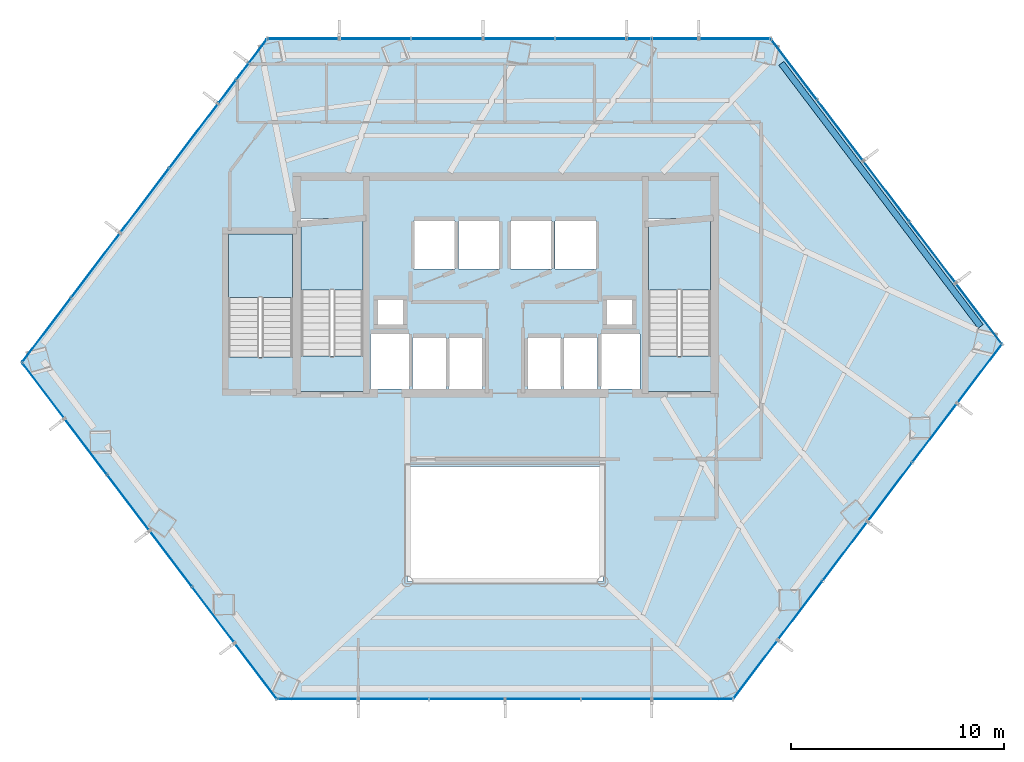
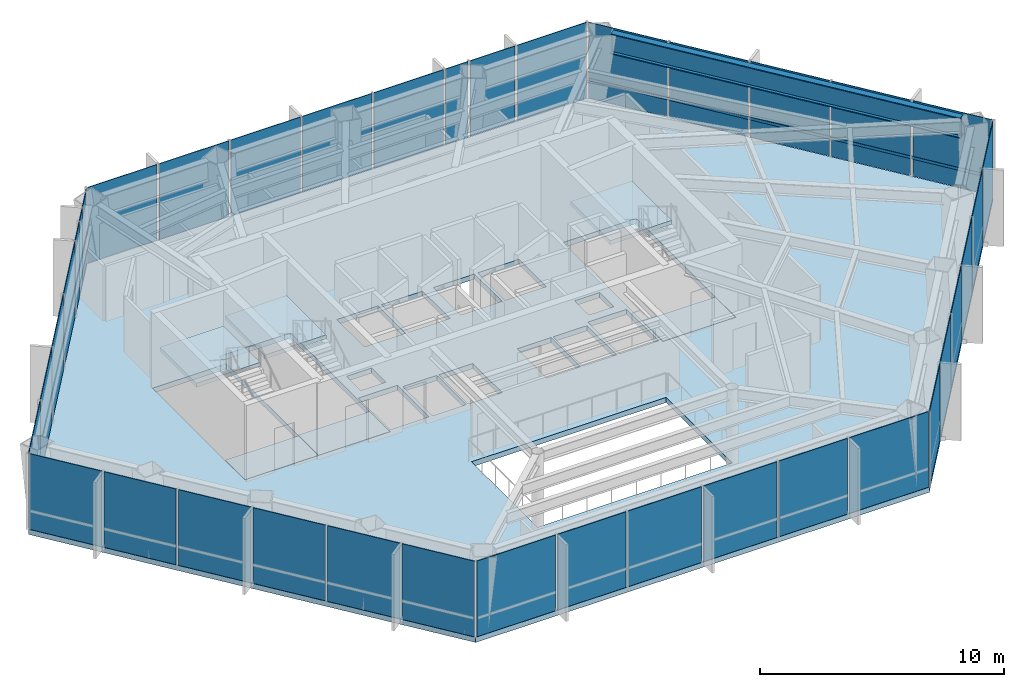
# One storey, part 22 of 26: 38 plates, 7 slabs, 1 beam, 1 member, 9 elements without a shape of their own.
"""IFC4 building model written with IfcOpenShell, lengths in metres."""

from ifc_helpers import new_model, si_unit, direction, frame, origin, origin_2d, place, context, subcontext, project, spatial, polyline, rectangle, hollow_rectangle, i_section, outline, extrude, material, layer, layer_set, material_profile, profile_set, type_object, element, aggregate, save


model = new_model("IFC4")

# Units and contexts
model_context = context("Model", 3, precision=1e-05, world=origin(), true_north=direction((0.0, 1.0)))
body_context = subcontext(model_context, "Body", "Model", "MODEL_VIEW")
ifc_project = project(units=[si_unit("LENGTHUNIT", "METRE"), si_unit("AREAUNIT", "SQUARE_METRE"), si_unit("VOLUMEUNIT", "CUBIC_METRE"), si_unit("PLANEANGLEUNIT", "RADIAN"), si_unit("MASSUNIT", "GRAM", prefix="KILO")], contexts=[model_context])

# Site, building, storey
site_placement = place(None, origin())
site = spatial("IfcSite", under=ifc_project, at=site_placement, CompositionType="ELEMENT")
building_placement = place(site_placement, origin())
building = spatial("IfcBuilding", under=site, at=building_placement, Name="Zarrinselat Tower", CompositionType="ELEMENT")
storey_placement = place(building_placement, frame((0.0, 0.0, 60.179931640625)))
storey = spatial("IfcBuildingStorey", under=building, at=storey_placement, Name="L14", CompositionType="ELEMENT", Elevation=60.179931640625)

# Beam
ifc_material_1 = material(Name="Steel S460M", Category="steel")
ifc_material_profile_1 = material_profile(ifc_material_1, i_section(OverallWidth=0.302001953125, OverallDepth=1.008056640625, WebThickness=0.02099609375, FlangeThickness=0.0400390625, at=origin_2d()), Name="HEM 1000")
ifc_profile_set_1 = profile_set([ifc_material_profile_1], Name="Steel S460M")
beam_type = type_object("IfcBeamType", Name="BM-HEM1000", PredefinedType="BEAM", material=ifc_profile_set_1)
beam_placement = place(storey_placement, frame((51.397705078125, 48.772216796875, 3.316162109375), z_axis=(0.603847696589, -0.797099717303, 0.0), x_axis=(0.797099717303, 0.603847696589, 0.0)))
element("IfcBeam", 1, at=beam_placement, inside=storey, type_object=beam_type, Name="L14 Perimeter Spandrel Girder SP15", PredefinedType="BEAM", context=body_context, shape_type="SweptSolid", body=[
    extrude(i_section(OverallWidth=0.302001953125, OverallDepth=1.008056640625, WebThickness=0.02099609375, FlangeThickness=0.0400390625, at=origin_2d()), origin(), (0.0, 0.0, 1.0), 15.525146484375),
])

# Curtain wall, member
ifc_material_2 = material(Name="Extruded Aluminium Alloy EN AW-6063 T6", Category="aluminium")
ifc_layer_1 = layer(ifc_material_2, 0.18505859375)
ifc_layer_set_1 = layer_set([ifc_layer_1], Name="Extruded Aluminium Alloy EN AW-6063 T6")
curtain_wall_type = type_object("IfcCurtainWallType", Name="CWS-OFF", PredefinedType="NOTDEFINED", material=ifc_layer_set_1)
curtain_wall_1_placement = place(storey_placement, origin())
curtain_wall_1 = element("IfcCurtainWall", 2, at=curtain_wall_1_placement, inside=storey, type_object=curtain_wall_type, Name="L14 Unitised Curtain Wall CW-L14-E06", PredefinedType="NOTDEFINED")
ifc_material_3 = material(Name="Extruded Aluminium Alloy EN AW-6063 T6", Category="aluminium")
ifc_material_profile_2 = material_profile(ifc_material_3, hollow_rectangle(XDim=0.06005859375, YDim=0.139892578125, WallThickness=0.00390625, at=origin_2d()), Name="RHS 140x60x4")
ifc_profile_set_2 = profile_set([ifc_material_profile_2], Name="Extruded Aluminium Alloy EN AW-6063 T6")
member_type = type_object("IfcMemberType", Name="MEM-CW-TRN", PredefinedType="USERDEFINED", material=ifc_profile_set_2)
member_placement = place(storey_placement, frame((61.72314453125, 35.6376953125, 0.949951171875), z_axis=(-0.60386243115, 0.797088554833, 0.0), x_axis=(-0.797088554833, -0.60386243115, 0.0)))
member = element("IfcMember", 3, at=member_placement, type_object=member_type, Name="CW-L14-E06 Transom 1", ObjectType="TRANSOM", PredefinedType="USERDEFINED", context=body_context, shape_type="SweptSolid", body=[
    extrude(hollow_rectangle(XDim=0.06005859375, YDim=0.139892578125, WallThickness=0.00390625, at=origin_2d()), origin(), (0.0, 0.0, 1.0), 17.838134765625),
])

# Curtain wall, plates
curtain_wall_2_placement = place(storey_placement, origin())
curtain_wall_2 = element("IfcCurtainWall", 4, at=curtain_wall_2_placement, inside=storey, type_object=curtain_wall_type, Name="L14 Unitised Curtain Wall CW-L14-E01", PredefinedType="NOTDEFINED")
ifc_material_4 = material(Name="Double Low-E Laminated Solar Glass", Category="glass")
ifc_layer_2 = layer(ifc_material_4, 0.031982421875)
ifc_layer_set_2 = layer_set([ifc_layer_2], Name="Double Low-E Laminated Solar Glass")
plate_type = type_object("IfcPlateType", Name="PLT-CW-GL32", PredefinedType="CURTAIN_PANEL", material=ifc_layer_set_2)
plate_1_placement = place(storey_placement, frame((49.205322265625, 49.927734375, 0.02001953125), z_axis=(0.0, 0.0, 1.0), x_axis=(-1.0, 0.0, 0.0)))
plate_1 = element("IfcPlate", 5, at=plate_1_placement, type_object=plate_type, Name="CW-L14-E01 Vision Glass Panel 1", PredefinedType="CURTAIN_PANEL", context=body_context, shape_type="SweptSolid", body=[
    extrude(rectangle(XDim=3.28369140625, YDim=0.031982421875, at=origin_2d()), origin(), (0.0, 0.0, 1.0), 3.780029296875),
])
plate_2_placement = place(storey_placement, frame((46.40673828125, 49.927734375, 0.02001953125), z_axis=(0.0, 0.0, 1.0), x_axis=(-1.0, 0.0, 0.0)))
plate_2 = element("IfcPlate", 6, at=plate_2_placement, type_object=plate_type, Name="CW-L14-E01 Vision Glass Panel 2", PredefinedType="CURTAIN_PANEL", context=body_context, shape_type="SweptSolid", body=[
    extrude(rectangle(XDim=2.113525390625, YDim=0.031982421875, at=origin_2d()), origin(), (0.0, 0.0, 1.0), 3.780029296875),
])
plate_3_placement = place(storey_placement, frame((44.71484375, 49.927734375, 0.02001953125), z_axis=(0.0, 0.0, 1.0), x_axis=(-1.0, 0.0, 0.0)))
plate_3 = element("IfcPlate", 7, at=plate_3_placement, type_object=plate_type, Name="CW-L14-E01 Vision Glass Panel 3", PredefinedType="CURTAIN_PANEL", context=body_context, shape_type="SweptSolid", body=[
    extrude(rectangle(XDim=1.070068359375, YDim=0.031982421875, at=origin_2d()), origin(), (0.0, 0.0, 1.0), 3.780029296875),
])
plate_4_placement = place(storey_placement, frame((42.43798828125, 49.927734375, 0.02001953125), z_axis=(0.0, 0.0, 1.0), x_axis=(-1.0, 0.0, 0.0)))
plate_4 = element("IfcPlate", 8, at=plate_4_placement, type_object=plate_type, Name="CW-L14-E01 Vision Glass Panel 4", PredefinedType="CURTAIN_PANEL", context=body_context, shape_type="SweptSolid", body=[
    extrude(rectangle(XDim=3.28369140625, YDim=0.031982421875, at=origin_2d()), origin(), (0.0, 0.0, 1.0), 3.780029296875),
])
plate_5_placement = place(storey_placement, frame((39.05419921875, 49.927734375, 0.02001953125), z_axis=(0.0, 0.0, 1.0), x_axis=(-1.0, 0.0, 0.0)))
plate_5 = element("IfcPlate", 9, at=plate_5_placement, type_object=plate_type, Name="CW-L14-E01 Vision Glass Panel 5", PredefinedType="CURTAIN_PANEL", context=body_context, shape_type="SweptSolid", body=[
    extrude(rectangle(XDim=3.28369140625, YDim=0.031982421875, at=origin_2d()), origin(), (0.0, 0.0, 1.0), 3.780029296875),
])
plate_6_placement = place(storey_placement, frame((35.670654296875, 49.927734375, 0.02001953125), z_axis=(0.0, 0.0, 1.0), x_axis=(-1.0, 0.0, 0.0)))
plate_6 = element("IfcPlate", 10, at=plate_6_placement, type_object=plate_type, Name="CW-L14-E01 Vision Glass Panel 6", PredefinedType="CURTAIN_PANEL", context=body_context, shape_type="SweptSolid", body=[
    extrude(rectangle(XDim=3.28369140625, YDim=0.031982421875, at=origin_2d()), origin(), (0.0, 0.0, 1.0), 3.780029296875),
])
plate_7_placement = place(storey_placement, frame((32.287109375, 49.927734375, 0.02001953125), z_axis=(0.0, 0.0, 1.0), x_axis=(-1.0, 0.0, 0.0)))
plate_7 = element("IfcPlate", 11, at=plate_7_placement, type_object=plate_type, Name="CW-L14-E01 Vision Glass Panel 7", PredefinedType="CURTAIN_PANEL", context=body_context, shape_type="SweptSolid", body=[
    extrude(rectangle(XDim=3.28369140625, YDim=0.031982421875, at=origin_2d()), origin(), (0.0, 0.0, 1.0), 3.780029296875),
])
plate_8_placement = place(storey_placement, frame((28.9033203125, 49.927734375, 0.02001953125), z_axis=(0.0, 0.0, 1.0), x_axis=(-1.0, 0.0, 0.0)))
plate_8 = element("IfcPlate", 12, at=plate_8_placement, type_object=plate_type, Name="CW-L14-E01 Vision Glass Panel 8", PredefinedType="CURTAIN_PANEL", context=body_context, shape_type="SweptSolid", body=[
    extrude(rectangle(XDim=3.28369140625, YDim=0.031982421875, at=origin_2d()), origin(), (0.0, 0.0, 1.0), 3.780029296875),
])
aggregate(curtain_wall_2, [plate_1, plate_2, plate_3, plate_4, plate_5, plate_6, plate_7, plate_8])

curtain_wall_3_placement = place(storey_placement, origin())
curtain_wall_3 = element("IfcCurtainWall", 13, at=curtain_wall_3_placement, inside=storey, type_object=curtain_wall_type, Name="L14 Unitised Curtain Wall CW-L14-E02", PredefinedType="NOTDEFINED")
plate_9_placement = place(storey_placement, frame((26.779052734375, 49.35693359375, 0.02001953125), z_axis=(0.0, 0.0, 1.0), x_axis=(-0.603859502298, -0.797090773679, 0.0)))
plate_9 = element("IfcPlate", 14, at=plate_9_placement, type_object=plate_type, Name="CW-L14-E02 Vision Glass Panel 1", PredefinedType="CURTAIN_PANEL", context=body_context, shape_type="SweptSolid", body=[
    extrude(rectangle(XDim=1.332275390625, YDim=0.031982421875, at=origin_2d()), origin(), (0.0, 0.0, 1.0), 3.780029296875),
])
plate_10_placement = place(storey_placement, frame((26.04931640625, 48.393798828125, 0.02001953125), z_axis=(0.0, 0.0, 1.0), x_axis=(-0.603859502298, -0.797090773679, 0.0)))
plate_10 = element("IfcPlate", 15, at=plate_10_placement, type_object=plate_type, Name="CW-L14-E02 Vision Glass Panel 2", PredefinedType="CURTAIN_PANEL", context=body_context, shape_type="SweptSolid", body=[
    extrude(rectangle(XDim=0.884521484375, YDim=0.031982421875, at=origin_2d()), origin(), (0.0, 0.0, 1.0), 3.780029296875),
])
plate_11_placement = place(storey_placement, frame((25.328369140625, 47.442138671875, 0.02001953125), z_axis=(0.0, 0.0, 1.0), x_axis=(-0.603859502298, -0.797090773679, 0.0)))
plate_11 = element("IfcPlate", 16, at=plate_11_placement, type_object=plate_type, Name="CW-L14-E02 Vision Glass Panel 3", PredefinedType="CURTAIN_PANEL", context=body_context, shape_type="SweptSolid", body=[
    extrude(rectangle(XDim=1.3037109375, YDim=0.031982421875, at=origin_2d()), origin(), (0.0, 0.0, 1.0), 3.780029296875),
])
plate_12_placement = place(storey_placement, frame((23.751220703125, 45.360107421875, 0.02001953125), z_axis=(0.0, 0.0, 1.0), x_axis=(-0.603859502298, -0.797090773679, 0.0)))
plate_12 = element("IfcPlate", 17, at=plate_12_placement, type_object=plate_type, Name="CW-L14-E02 Vision Glass Panel 4", PredefinedType="CURTAIN_PANEL", context=body_context, shape_type="SweptSolid", body=[
    extrude(rectangle(XDim=3.72021484375, YDim=0.031982421875, at=origin_2d()), origin(), (0.0, 0.0, 1.0), 3.780029296875),
])
plate_13_placement = place(storey_placement, frame((21.444091796875, 42.31494140625, 0.02001953125), z_axis=(0.0, 0.0, 1.0), x_axis=(-0.603859502298, -0.797090773679, 0.0)))
plate_13 = element("IfcPlate", 18, at=plate_13_placement, type_object=plate_type, Name="CW-L14-E02 Vision Glass Panel 5", PredefinedType="CURTAIN_PANEL", context=body_context, shape_type="SweptSolid", body=[
    extrude(rectangle(XDim=3.72021484375, YDim=0.031982421875, at=origin_2d()), origin(), (0.0, 0.0, 1.0), 3.780029296875),
])
plate_14_placement = place(storey_placement, frame((19.13720703125, 39.27001953125, 0.02001953125), z_axis=(0.0, 0.0, 1.0), x_axis=(-0.603859502298, -0.797090773679, 0.0)))
plate_14 = element("IfcPlate", 19, at=plate_14_placement, type_object=plate_type, Name="CW-L14-E02 Vision Glass Panel 6", PredefinedType="CURTAIN_PANEL", context=body_context, shape_type="SweptSolid", body=[
    extrude(rectangle(XDim=3.72021484375, YDim=0.031982421875, at=origin_2d()), origin(), (0.0, 0.0, 1.0), 3.780029296875),
])
plate_15_placement = place(storey_placement, frame((16.830322265625, 36.224853515625, 0.02001953125), z_axis=(0.0, 0.0, 1.0), x_axis=(-0.603859502298, -0.797090773679, 0.0)))
plate_15 = element("IfcPlate", 20, at=plate_15_placement, type_object=plate_type, Name="CW-L14-E02 Vision Glass Panel 7", PredefinedType="CURTAIN_PANEL", context=body_context, shape_type="SweptSolid", body=[
    extrude(rectangle(XDim=3.72021484375, YDim=0.031982421875, at=origin_2d()), origin(), (0.0, 0.0, 1.0), 3.780029296875),
])
aggregate(curtain_wall_3, [plate_9, plate_10, plate_11, plate_12, plate_13, plate_14, plate_15])

curtain_wall_4_placement = place(storey_placement, origin())
curtain_wall_4 = element("IfcCurtainWall", 21, at=curtain_wall_4_placement, inside=storey, type_object=curtain_wall_type, Name="L14 Unitised Curtain Wall CW-L14-E03", PredefinedType="NOTDEFINED")
plate_16_placement = place(storey_placement, frame((16.677001953125, 33.382080078125, 0.02001953125), z_axis=(0.0, 0.0, 1.0), x_axis=(0.603861563254, -0.797089212337, 0.0)))
plate_16 = element("IfcPlate", 22, at=plate_16_placement, type_object=plate_type, Name="CW-L14-E03 Vision Glass Panel 1", PredefinedType="CURTAIN_PANEL", context=body_context, shape_type="SweptSolid", body=[
    extrude(rectangle(XDim=3.212158203125, YDim=0.031982421875, at=origin_2d()), origin(), (0.0, 0.0, 1.0), 3.780029296875),
])
plate_17_placement = place(storey_placement, frame((18.677001953125, 30.7421875, 0.02001953125), z_axis=(0.0, 0.0, 1.0), x_axis=(0.603861563254, -0.797089212337, 0.0)))
plate_17 = element("IfcPlate", 23, at=plate_17_placement, type_object=plate_type, Name="CW-L14-E03 Vision Glass Panel 2", PredefinedType="CURTAIN_PANEL", context=body_context, shape_type="SweptSolid", body=[
    extrude(rectangle(XDim=3.212158203125, YDim=0.031982421875, at=origin_2d()), origin(), (0.0, 0.0, 1.0), 3.780029296875),
])
plate_18_placement = place(storey_placement, frame((20.677001953125, 28.10205078125, 0.02001953125), z_axis=(0.0, 0.0, 1.0), x_axis=(0.603861563254, -0.797089212337, 0.0)))
plate_18 = element("IfcPlate", 24, at=plate_18_placement, type_object=plate_type, Name="CW-L14-E03 Vision Glass Panel 3", PredefinedType="CURTAIN_PANEL", context=body_context, shape_type="SweptSolid", body=[
    extrude(rectangle(XDim=3.212158203125, YDim=0.031982421875, at=origin_2d()), origin(), (0.0, 0.0, 1.0), 3.780029296875),
])
plate_19_placement = place(storey_placement, frame((22.67724609375, 25.4619140625, 0.02001953125), z_axis=(0.0, 0.0, 1.0), x_axis=(0.603861563254, -0.797089212337, 0.0)))
plate_19 = element("IfcPlate", 25, at=plate_19_placement, type_object=plate_type, Name="CW-L14-E03 Vision Glass Panel 4", PredefinedType="CURTAIN_PANEL", context=body_context, shape_type="SweptSolid", body=[
    extrude(rectangle(XDim=3.212158203125, YDim=0.031982421875, at=origin_2d()), origin(), (0.0, 0.0, 1.0), 3.780029296875),
])
plate_20_placement = place(storey_placement, frame((24.67724609375, 22.82177734375, 0.02001953125), z_axis=(0.0, 0.0, 1.0), x_axis=(0.603861563254, -0.797089212337, 0.0)))
plate_20 = element("IfcPlate", 26, at=plate_20_placement, type_object=plate_type, Name="CW-L14-E03 Vision Glass Panel 5", PredefinedType="CURTAIN_PANEL", context=body_context, shape_type="SweptSolid", body=[
    extrude(rectangle(XDim=3.212158203125, YDim=0.031982421875, at=origin_2d()), origin(), (0.0, 0.0, 1.0), 3.780029296875),
])
plate_21_placement = place(storey_placement, frame((26.677490234375, 20.181640625, 0.02001953125), z_axis=(0.0, 0.0, 1.0), x_axis=(0.603861563254, -0.797089212337, 0.0)))
plate_21 = element("IfcPlate", 27, at=plate_21_placement, type_object=plate_type, Name="CW-L14-E03 Vision Glass Panel 6", PredefinedType="CURTAIN_PANEL", context=body_context, shape_type="SweptSolid", body=[
    extrude(rectangle(XDim=3.212158203125, YDim=0.031982421875, at=origin_2d()), origin(), (0.0, 0.0, 1.0), 3.780029296875),
])
aggregate(curtain_wall_4, [plate_16, plate_17, plate_18, plate_19, plate_20, plate_21])

curtain_wall_5_placement = place(storey_placement, origin())
curtain_wall_5 = element("IfcCurtainWall", 28, at=curtain_wall_5_placement, inside=storey, type_object=curtain_wall_type, Name="L14 Unitised Curtain Wall CW-L14-E04", PredefinedType="NOTDEFINED")
plate_22_placement = place(storey_placement, frame((29.588623046875, 18.86181640625, 0.02001953125), z_axis=(0.0, 0.0, 1.0), x_axis=(1.0, 0.0, 0.0)))
plate_22 = element("IfcPlate", 29, at=plate_22_placement, type_object=plate_type, Name="CW-L14-E04 Vision Glass Panel 1", PredefinedType="CURTAIN_PANEL", context=body_context, shape_type="SweptSolid", body=[
    extrude(rectangle(XDim=3.72265625, YDim=0.031982421875, at=origin_2d()), origin(), (0.0, 0.0, 1.0), 3.780029296875),
])
plate_23_placement = place(storey_placement, frame((33.162841796875, 18.86181640625, 0.02001953125), z_axis=(0.0, 0.0, 1.0), x_axis=(1.0, 0.0, 0.0)))
plate_23 = element("IfcPlate", 30, at=plate_23_placement, type_object=plate_type, Name="CW-L14-E04 Vision Glass Panel 2", PredefinedType="CURTAIN_PANEL", context=body_context, shape_type="SweptSolid", body=[
    extrude(rectangle(XDim=3.225830078125, YDim=0.031982421875, at=origin_2d()), origin(), (0.0, 0.0, 1.0), 3.780029296875),
])
plate_24_placement = place(storey_placement, frame((36.61279296875, 18.86181640625, 0.02001953125), z_axis=(0.0, 0.0, 1.0), x_axis=(1.0, 0.0, 0.0)))
plate_24 = element("IfcPlate", 31, at=plate_24_placement, type_object=plate_type, Name="CW-L14-E04 Vision Glass Panel 3", PredefinedType="CURTAIN_PANEL", context=body_context, shape_type="SweptSolid", body=[
    extrude(rectangle(XDim=3.47412109375, YDim=0.031982421875, at=origin_2d()), origin(), (0.0, 0.0, 1.0), 3.780029296875),
])
plate_25_placement = place(storey_placement, frame((40.18701171875, 18.86181640625, 0.02001953125), z_axis=(0.0, 0.0, 1.0), x_axis=(1.0, 0.0, 0.0)))
plate_25 = element("IfcPlate", 32, at=plate_25_placement, type_object=plate_type, Name="CW-L14-E04 Vision Glass Panel 4", PredefinedType="CURTAIN_PANEL", context=body_context, shape_type="SweptSolid", body=[
    extrude(rectangle(XDim=3.47412109375, YDim=0.031982421875, at=origin_2d()), origin(), (0.0, 0.0, 1.0), 3.780029296875),
])
plate_26_placement = place(storey_placement, frame((43.63720703125, 18.86181640625, 0.02001953125), z_axis=(0.0, 0.0, 1.0), x_axis=(1.0, 0.0, 0.0)))
plate_26 = element("IfcPlate", 33, at=plate_26_placement, type_object=plate_type, Name="CW-L14-E04 Vision Glass Panel 5", PredefinedType="CURTAIN_PANEL", context=body_context, shape_type="SweptSolid", body=[
    extrude(rectangle(XDim=3.225830078125, YDim=0.031982421875, at=origin_2d()), origin(), (0.0, 0.0, 1.0), 3.780029296875),
])
plate_27_placement = place(storey_placement, frame((47.211181640625, 18.86181640625, 0.02001953125), z_axis=(0.0, 0.0, 1.0), x_axis=(1.0, 0.0, 0.0)))
plate_27 = element("IfcPlate", 34, at=plate_27_placement, type_object=plate_type, Name="CW-L14-E04 Vision Glass Panel 6", PredefinedType="CURTAIN_PANEL", context=body_context, shape_type="SweptSolid", body=[
    extrude(rectangle(XDim=3.72265625, YDim=0.031982421875, at=origin_2d()), origin(), (0.0, 0.0, 1.0), 3.780029296875),
])
aggregate(curtain_wall_5, [plate_22, plate_23, plate_24, plate_25, plate_26, plate_27])

curtain_wall_6_placement = place(storey_placement, origin())
curtain_wall_6 = element("IfcCurtainWall", 35, at=curtain_wall_6_placement, inside=storey, type_object=curtain_wall_type, Name="L14 Unitised Curtain Wall CW-L14-E05", PredefinedType="NOTDEFINED")
plate_28_placement = place(storey_placement, frame((50.17724609375, 20.253662109375, 0.02001953125), z_axis=(0.0, 0.0, 1.0), x_axis=(0.603860811653, 0.797089781737, 0.0)))
plate_28 = element("IfcPlate", 36, at=plate_28_placement, type_object=plate_type, Name="CW-L14-E05 Vision Glass Panel 1", PredefinedType="CURTAIN_PANEL", context=body_context, shape_type="SweptSolid", body=[
    extrude(rectangle(XDim=3.392578125, YDim=0.031982421875, at=origin_2d()), origin(), (0.0, 0.0, 1.0), 3.780029296875),
])
plate_29_placement = place(storey_placement, frame((52.286376953125, 23.03759765625, 0.02001953125), z_axis=(0.0, 0.0, 1.0), x_axis=(0.603860811653, 0.797089781737, 0.0)))
plate_29 = element("IfcPlate", 37, at=plate_29_placement, type_object=plate_type, Name="CW-L14-E05 Vision Glass Panel 2", PredefinedType="CURTAIN_PANEL", context=body_context, shape_type="SweptSolid", body=[
    extrude(rectangle(XDim=3.392578125, YDim=0.031982421875, at=origin_2d()), origin(), (0.0, 0.0, 1.0), 3.780029296875),
])
plate_30_placement = place(storey_placement, frame((54.3955078125, 25.82177734375, 0.02001953125), z_axis=(0.0, 0.0, 1.0), x_axis=(0.603860811653, 0.797089781737, 0.0)))
plate_30 = element("IfcPlate", 38, at=plate_30_placement, type_object=plate_type, Name="CW-L14-E05 Vision Glass Panel 3", PredefinedType="CURTAIN_PANEL", context=body_context, shape_type="SweptSolid", body=[
    extrude(rectangle(XDim=3.392578125, YDim=0.031982421875, at=origin_2d()), origin(), (0.0, 0.0, 1.0), 3.780029296875),
])
plate_31_placement = place(storey_placement, frame((56.504638671875, 28.605712890625, 0.02001953125), z_axis=(0.0, 0.0, 1.0), x_axis=(0.603860811653, 0.797089781737, 0.0)))
plate_31 = element("IfcPlate", 39, at=plate_31_placement, type_object=plate_type, Name="CW-L14-E05 Vision Glass Panel 4", PredefinedType="CURTAIN_PANEL", context=body_context, shape_type="SweptSolid", body=[
    extrude(rectangle(XDim=3.392578125, YDim=0.031982421875, at=origin_2d()), origin(), (0.0, 0.0, 1.0), 3.780029296875),
])
plate_32_placement = place(storey_placement, frame((58.61376953125, 31.389892578125, 0.02001953125), z_axis=(0.0, 0.0, 1.0), x_axis=(0.603860811653, 0.797089781737, 0.0)))
plate_32 = element("IfcPlate", 40, at=plate_32_placement, type_object=plate_type, Name="CW-L14-E05 Vision Glass Panel 5", PredefinedType="CURTAIN_PANEL", context=body_context, shape_type="SweptSolid", body=[
    extrude(rectangle(XDim=3.392578125, YDim=0.031982421875, at=origin_2d()), origin(), (0.0, 0.0, 1.0), 3.780029296875),
])
plate_33_placement = place(storey_placement, frame((60.722900390625, 34.173828125, 0.02001953125), z_axis=(0.0, 0.0, 1.0), x_axis=(0.603860811653, 0.797089781737, 0.0)))
plate_33 = element("IfcPlate", 41, at=plate_33_placement, type_object=plate_type, Name="CW-L14-E05 Vision Glass Panel 6", PredefinedType="CURTAIN_PANEL", context=body_context, shape_type="SweptSolid", body=[
    extrude(rectangle(XDim=3.392578125, YDim=0.031982421875, at=origin_2d()), origin(), (0.0, 0.0, 1.0), 3.780029296875),
])
aggregate(curtain_wall_6, [plate_28, plate_29, plate_30, plate_31, plate_32, plate_33])

# Plate
plate_34_placement = place(storey_placement, frame((60.689453125, 37.002197265625, 0.02001953125), z_axis=(0.0, 0.0, 1.0), x_axis=(-0.603856726294, 0.797092876715, 0.0)))
plate_34 = element("IfcPlate", 42, at=plate_34_placement, type_object=plate_type, Name="CW-L14-E06 Vision Glass Panel 1", PredefinedType="CURTAIN_PANEL", context=body_context, shape_type="SweptSolid", body=[
    extrude(rectangle(XDim=3.503662109375, YDim=0.031982421875, at=origin_2d()), origin(), (0.0, 0.0, 1.0), 3.780029296875),
])

plate_35_placement = place(storey_placement, frame((58.51318359375, 39.87451171875, 0.02001953125), z_axis=(0.0, 0.0, 1.0), x_axis=(-0.603856726294, 0.797092876715, 0.0)))
plate_35 = element("IfcPlate", 43, at=plate_35_placement, type_object=plate_type, Name="CW-L14-E06 Vision Glass Panel 2", PredefinedType="CURTAIN_PANEL", context=body_context, shape_type="SweptSolid", body=[
    extrude(rectangle(XDim=3.503662109375, YDim=0.031982421875, at=origin_2d()), origin(), (0.0, 0.0, 1.0), 3.780029296875),
])

plate_36_placement = place(storey_placement, frame((56.33740234375, 42.746826171875, 0.02001953125), z_axis=(0.0, 0.0, 1.0), x_axis=(-0.603856726294, 0.797092876715, 0.0)))
plate_36 = element("IfcPlate", 44, at=plate_36_placement, type_object=plate_type, Name="CW-L14-E06 Vision Glass Panel 3", PredefinedType="CURTAIN_PANEL", context=body_context, shape_type="SweptSolid", body=[
    extrude(rectangle(XDim=3.503662109375, YDim=0.031982421875, at=origin_2d()), origin(), (0.0, 0.0, 1.0), 3.780029296875),
])

plate_37_placement = place(storey_placement, frame((54.161376953125, 45.619140625, 0.02001953125), z_axis=(0.0, 0.0, 1.0), x_axis=(-0.603856726294, 0.797092876715, 0.0)))
plate_37 = element("IfcPlate", 45, at=plate_37_placement, type_object=plate_type, Name="CW-L14-E06 Vision Glass Panel 4", PredefinedType="CURTAIN_PANEL", context=body_context, shape_type="SweptSolid", body=[
    extrude(rectangle(XDim=3.503662109375, YDim=0.031982421875, at=origin_2d()), origin(), (0.0, 0.0, 1.0), 3.780029296875),
])

plate_38_placement = place(storey_placement, frame((51.985107421875, 48.49169921875, 0.02001953125), z_axis=(0.0, 0.0, 1.0), x_axis=(-0.603856726294, 0.797092876715, 0.0)))
plate_38 = element("IfcPlate", 46, at=plate_38_placement, type_object=plate_type, Name="CW-L14-E06 Vision Glass Panel 5", PredefinedType="CURTAIN_PANEL", context=body_context, shape_type="SweptSolid", body=[
    extrude(rectangle(XDim=3.503662109375, YDim=0.031982421875, at=origin_2d()), origin(), (0.0, 0.0, 1.0), 3.780029296875),
])

aggregate(curtain_wall_1, [member, plate_34, plate_35, plate_36, plate_37, plate_38])

# Slabs
ifc_material_5 = material(Name="Concrete C40/50", Category="concrete")
ifc_layer_3 = layer(ifc_material_5, 0.260009765625)
ifc_layer_set_3 = layer_set([ifc_layer_3], Name="Concrete C40/50")
slab_type_1 = type_object("IfcSlabType", Name="SLB-FLOOR-260-SL-OF260", PredefinedType="FLOOR", material=ifc_layer_set_3)
slab_1_placement = place(storey_placement, frame((0.0, 0.0, -0.260009765625)))
element("IfcSlab", 47, at=slab_1_placement, inside=storey, type_object=slab_type_1, Name="L14 Primary Structural Slab", PredefinedType="FLOOR", context=body_context, shape_type="SweptSolid", body=[
    extrude(outline(polyline([(50.897216796875, 49.927734375), (27.21142578125, 49.927734375), (15.677001953125, 34.7021484375), (27.677490234375, 18.86181640625), (49.12255859375, 18.86181640625), (61.77734375, 35.56591796875), (50.897216796875, 49.927734375)]), holes=[polyline([(34.050048828125, 33.449951171875), (34.050048828125, 35.85009765625), (35.64990234375, 35.85009765625), (35.64990234375, 33.449951171875), (34.050048828125, 33.449951171875)]), polyline([(35.75, 33.449951171875), (35.75, 35.85009765625), (37.35009765625, 35.85009765625), (37.35009765625, 33.449951171875), (35.75, 33.449951171875)]), polyline([(32.06005859375, 33.449951171875), (32.06005859375, 36.050048828125), (33.89990234375, 36.050048828125), (33.89990234375, 33.449951171875), (32.06005859375, 33.449951171875)]), polyline([(32.419921875, 36.47998046875), (32.419921875, 37.639892578125), (33.60009765625, 37.639892578125), (33.60009765625, 36.47998046875), (32.419921875, 36.47998046875)]), polyline([(28.594970703125, 33.324951171875), (25.114990234375, 33.324951171875), (25.114990234375, 40.875), (28.594970703125, 40.875), (28.594970703125, 33.324951171875)]), polyline([(31.985107421875, 33.324951171875), (28.60498046875, 33.324951171875), (28.60498046875, 41.47509765625), (31.985107421875, 41.47509765625), (31.985107421875, 33.324951171875)]), polyline([(34.10009765625, 39.10009765625), (34.10009765625, 41.35009765625), (36.050048828125, 41.35009765625), (36.050048828125, 39.10009765625), (34.10009765625, 39.10009765625)]), polyline([(36.199951171875, 39.10009765625), (36.199951171875, 41.35009765625), (38.14990234375, 41.35009765625), (38.14990234375, 39.10009765625), (36.199951171875, 39.10009765625)]), polyline([(33.800048828125, 24.39990234375), (33.800048828125, 29.800048828125), (43.0, 29.800048828125), (43.0, 24.39990234375), (33.800048828125, 24.39990234375)]), polyline([(39.449951171875, 33.449951171875), (39.449951171875, 35.85009765625), (41.050048828125, 35.85009765625), (41.050048828125, 33.449951171875), (39.449951171875, 33.449951171875)]), polyline([(41.14990234375, 33.449951171875), (41.14990234375, 35.85009765625), (42.75, 35.85009765625), (42.75, 33.449951171875), (41.14990234375, 33.449951171875)]), polyline([(42.89990234375, 33.449951171875), (42.89990234375, 36.050048828125), (44.739990234375, 36.050048828125), (44.739990234375, 33.449951171875), (42.89990234375, 33.449951171875)]), polyline([(43.199951171875, 36.47998046875), (43.199951171875, 37.639892578125), (44.3798828125, 37.639892578125), (44.3798828125, 36.47998046875), (43.199951171875, 36.47998046875)]), polyline([(48.324951171875, 33.324951171875), (44.875, 33.324951171875), (44.875, 41.47509765625), (48.324951171875, 41.47509765625), (48.324951171875, 33.324951171875)]), polyline([(38.64990234375, 39.10009765625), (38.64990234375, 41.35009765625), (40.60009765625, 41.35009765625), (40.60009765625, 39.10009765625), (38.64990234375, 39.10009765625)]), polyline([(40.75, 39.10009765625), (40.75, 41.35009765625), (42.699951171875, 41.35009765625), (42.699951171875, 39.10009765625), (40.75, 39.10009765625)])]), origin(), (0.0, 0.0, 1.0), 0.260009765625),
])
slab_2_placement = place(storey_placement, frame((0.0, 0.0, -0.260009765625)))
element("IfcSlab", 48, at=slab_2_placement, inside=storey, type_object=slab_type_1, Name="L14 Stair ST-1-FL1 Structural Floor Landing", PredefinedType="FLOOR", context=body_context, shape_type="SweptSolid", body=[
    extrude(outline(polyline([(31.97998046875, 33.330078125), (31.97998046875, 35.0), (28.610107421875, 35.0), (28.610107421875, 33.330078125), (31.97998046875, 33.330078125)])), origin(), (0.0, 0.0, 1.0), 0.260009765625),
])
slab_3_placement = place(storey_placement, frame((0.0, 0.0, -0.260009765625)))
element("IfcSlab", 49, at=slab_3_placement, inside=storey, type_object=slab_type_1, Name="L14 Stair ST-2-FL1 Structural Floor Landing", PredefinedType="FLOOR", context=body_context, shape_type="SweptSolid", body=[
    extrude(outline(polyline([(48.320068359375, 33.330078125), (48.320068359375, 35.0), (44.8798828125, 35.0), (44.8798828125, 33.330078125), (48.320068359375, 33.330078125)])), origin(), (0.0, 0.0, 1.0), 0.260009765625),
])
slab_4_placement = place(storey_placement, frame((0.0, 0.0, -0.260009765625)))
element("IfcSlab", 50, at=slab_4_placement, inside=storey, type_object=slab_type_1, Name="L14 Stair ST-3-FL1 Structural Floor Landing", PredefinedType="FLOOR", context=body_context, shape_type="SweptSolid", body=[
    extrude(outline(polyline([(28.590087890625, 33.330078125), (28.590087890625, 34.949951171875), (25.1201171875, 34.949951171875), (25.1201171875, 33.330078125), (28.590087890625, 33.330078125)])), origin(), (0.0, 0.0, 1.0), 0.260009765625),
])

# Stair, slab
ifc_material_6 = material(Name="Concrete C40/50", Category="concrete")
stair_type_1 = type_object("IfcStairType", Name="STR-CORE-145", PredefinedType="HALF_TURN_STAIR", material=ifc_material_6)
stair_1_placement = place(storey_placement, origin())
stair_1 = element("IfcStair", 51, at=stair_1_placement, inside=storey, type_object=stair_type_1, Name="L14 Podium & Mid-Tower Exit Stair 3", PredefinedType="HALF_TURN_STAIR")
ifc_material_7 = material(Name="Concrete C40/50", Category="concrete")
ifc_layer_4 = layer(ifc_material_7, 0.1650390625)
ifc_layer_set_4 = layer_set([ifc_layer_4], Name="Concrete C40/50")
slab_type_2 = type_object("IfcSlabType", Name="SLB-LND-165", PredefinedType="LANDING", material=ifc_layer_set_4)
slab_5_placement = place(storey_placement, frame((0.0, 0.0, 1.840087890625)))
slab_5 = element("IfcSlab", 52, at=slab_5_placement, type_object=slab_type_2, Name="ST-3 landing 1", PredefinedType="LANDING", context=body_context, shape_type="SweptSolid", body=[
    extrude(outline(polyline([(28.39990234375, 37.75), (28.39990234375, 40.75), (25.3798828125, 40.75), (25.3798828125, 37.75), (28.39990234375, 37.75)])), origin(), (0.0, 0.0, 1.0), 0.199951171875),
])
aggregate(stair_1, [slab_5])

ifc_material_8 = material(Name="Concrete C40/50", Category="concrete")
stair_type_2 = type_object("IfcStairType", Name="STR-CORE-155", PredefinedType="HALF_TURN_STAIR", material=ifc_material_8)
stair_2_placement = place(storey_placement, origin())
stair_2 = element("IfcStair", 53, at=stair_2_placement, inside=storey, type_object=stair_type_2, Name="L14 Core Exit Stair 1", PredefinedType="HALF_TURN_STAIR")
ifc_material_9 = material(Name="Concrete C40/50", Category="concrete")
ifc_layer_5 = layer(ifc_material_9, 0.18994140625)
ifc_layer_set_5 = layer_set([ifc_layer_5], Name="Concrete C40/50")
slab_type_3 = type_object("IfcSlabType", Name="SLB-LND-190", PredefinedType="LANDING", material=ifc_layer_set_5)
slab_6_placement = place(storey_placement, frame((0.0, 0.0, 1.840087890625)))
slab_6 = element("IfcSlab", 54, at=slab_6_placement, type_object=slab_type_3, Name="ST-1 landing 1", PredefinedType="LANDING", context=body_context, shape_type="SweptSolid", body=[
    extrude(outline(polyline([(31.719970703125, 38.10009765625), (31.719970703125, 41.35009765625), (28.800048828125, 41.35009765625), (28.800048828125, 38.10009765625), (31.719970703125, 38.10009765625)])), origin(), (0.0, 0.0, 1.0), 0.199951171875),
])
aggregate(stair_2, [slab_6])

stair_3_placement = place(storey_placement, origin())
stair_3 = element("IfcStair", 55, at=stair_3_placement, inside=storey, type_object=stair_type_2, Name="L14 Core Exit Stair 2", PredefinedType="HALF_TURN_STAIR")
slab_7_placement = place(storey_placement, frame((0.0, 0.0, 1.840087890625)))
slab_7 = element("IfcSlab", 56, at=slab_7_placement, type_object=slab_type_3, Name="ST-2 landing 1", PredefinedType="LANDING", context=body_context, shape_type="SweptSolid", body=[
    extrude(outline(polyline([(48.06005859375, 38.10009765625), (48.06005859375, 41.35009765625), (45.139892578125, 41.35009765625), (45.139892578125, 38.10009765625), (48.06005859375, 38.10009765625)])), origin(), (0.0, 0.0, 1.0), 0.199951171875),
])
aggregate(stair_3, [slab_7])

save(model, "model.ifc")
